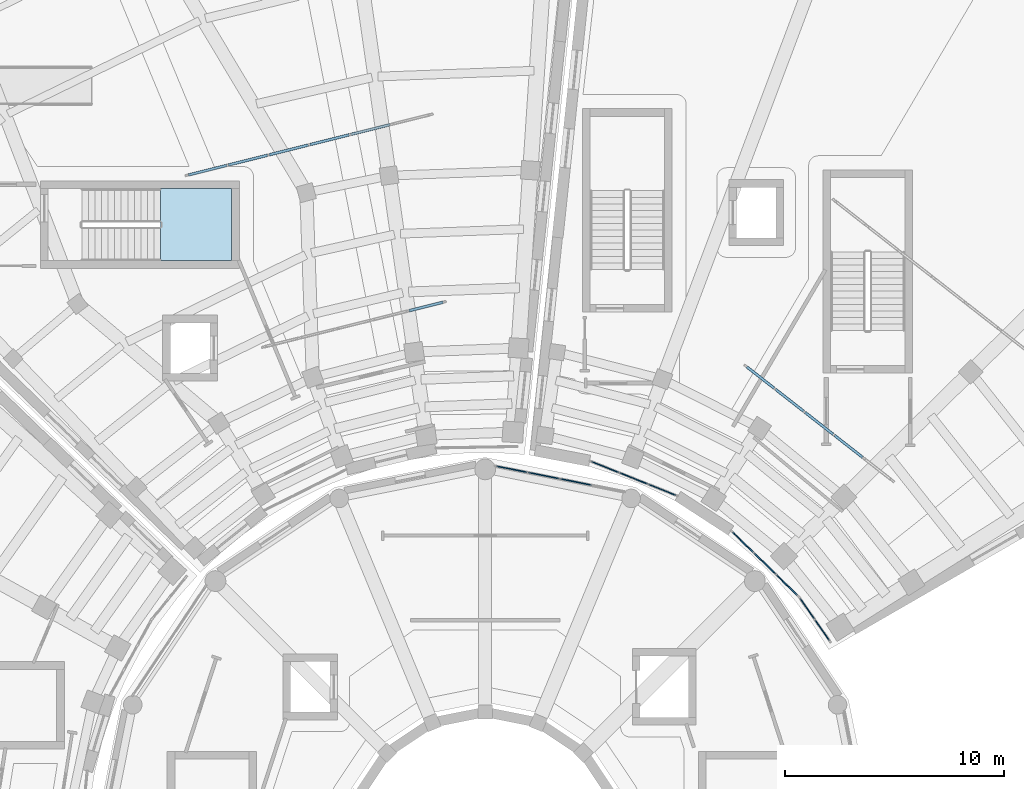
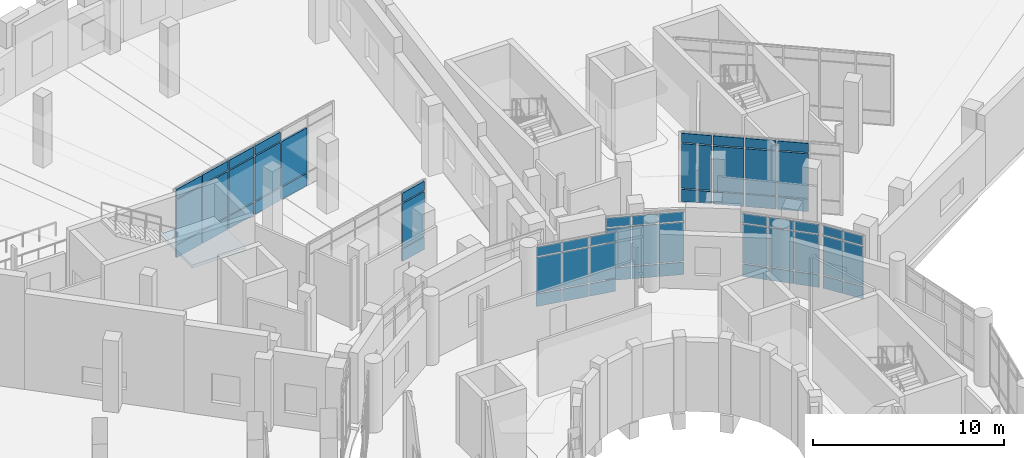
# One storey, part 41 of 75: 62 plates, 1 slab, 8 elements without a shape of their own.
"""IFC4 building model written with IfcOpenShell, lengths in metres."""

from ifc_helpers import new_model, si_unit, direction, frame, origin, origin_2d, place, context, subcontext, project, spatial, polyline, rectangle, outline, extrude, material, layer, layer_set, type_object, element, aggregate, save


model = new_model("IFC4")

# Units and contexts
model_context = context("Model", 3, precision=1e-05, world=origin(), true_north=direction((0.0, 1.0)))
body_context = subcontext(model_context, "Body", "Model", "MODEL_VIEW")
ifc_project = project(units=[si_unit("LENGTHUNIT", "METRE"), si_unit("AREAUNIT", "SQUARE_METRE"), si_unit("VOLUMEUNIT", "CUBIC_METRE"), si_unit("PLANEANGLEUNIT", "RADIAN"), si_unit("MASSUNIT", "GRAM", prefix="KILO")], contexts=[model_context])

# Site, building, storey
site_placement = place(None, origin())
site = spatial("IfcSite", under=ifc_project, at=site_placement, CompositionType="ELEMENT")
building_placement = place(site_placement, origin())
building = spatial("IfcBuilding", under=site, at=building_placement, Name="Soyqirgoq Riverine Aquarium", CompositionType="ELEMENT")
storey_placement = place(building_placement, frame((0.0, 0.0, 10.199951171875)))
storey = spatial("IfcBuildingStorey", under=building, at=storey_placement, Name="L03", CompositionType="ELEMENT", Elevation=10.199951171875)

# Curtain wall, plates
ifc_material_1 = material(Name="Cast polymethyl methacrylate PMMA Habitat Viewing Glazing", Category="glass")
curtain_wall_type_1 = type_object("IfcCurtainWallType", Name="CW_Interior_TankVitrine", PredefinedType="NOTDEFINED", material=ifc_material_1)
curtain_wall_1_placement = place(storey_placement, origin())
curtain_wall_1 = element("IfcCurtainWall", 1, at=curtain_wall_1_placement, inside=storey, type_object=curtain_wall_type_1, Name="V4 L03 Curtain Wall 155", PredefinedType="NOTDEFINED")
ifc_material_2 = material(Name="Cast polymethyl methacrylate PMMA", Category="glass")
ifc_layer_1 = layer(ifc_material_2, 0.1201171875)
ifc_layer_set_1 = layer_set([ifc_layer_1], Name="Cast polymethyl methacrylate PMMA")
plate_type_1 = type_object("IfcPlateType", Name="CWAcrylicPanel_120", PredefinedType="CURTAIN_PANEL", material=ifc_layer_set_1)
plate_1_placement = place(storey_placement, frame((53.2958984375, 81.902587890625, 0.074951171875), z_axis=(0.0, 0.0, 1.0), x_axis=(-0.970295694292, -0.241922023881, 0.0)))
plate_1 = element("IfcPlate", 2, at=plate_1_placement, type_object=plate_type_1, Name="CW-07 panel 1.1", PredefinedType="CURTAIN_PANEL", context=body_context, shape_type="SweptSolid", body=[
    extrude(rectangle(XDim=1.59033203125, YDim=0.1201171875, at=origin_2d()), origin(), (0.0, 0.0, 1.0), 0.78759765625),
])
plate_2_placement = place(storey_placement, frame((53.2958984375, 81.902587890625, 0.9375), z_axis=(0.0, 0.0, 1.0), x_axis=(-0.970295694292, -0.241922023881, 0.0)))
plate_2 = element("IfcPlate", 3, at=plate_2_placement, type_object=plate_type_1, Name="CW-07 panel 1.2", PredefinedType="CURTAIN_PANEL", context=body_context, shape_type="SweptSolid", body=[
    extrude(rectangle(XDim=1.59033203125, YDim=0.1201171875, at=origin_2d()), origin(), (0.0, 0.0, 1.0), 2.844970703125),
])
plate_3_placement = place(storey_placement, frame((53.2958984375, 81.902587890625, 3.857666015625), z_axis=(0.0, 0.0, 1.0), x_axis=(-0.970295694292, -0.241922023881, 0.0)))
plate_3 = element("IfcPlate", 4, at=plate_3_placement, type_object=plate_type_1, Name="CW-07 panel 1.3", PredefinedType="CURTAIN_PANEL", context=body_context, shape_type="SweptSolid", body=[
    extrude(rectangle(XDim=1.59033203125, YDim=0.1201171875, at=origin_2d()), origin(), (0.0, 0.0, 1.0), 0.58740234375),
])
aggregate(curtain_wall_1, [plate_1, plate_2, plate_3])

curtain_wall_2_placement = place(storey_placement, origin())
curtain_wall_2 = element("IfcCurtainWall", 5, at=curtain_wall_2_placement, inside=storey, type_object=curtain_wall_type_1, Name="V4 L03 Curtain Wall 156", PredefinedType="NOTDEFINED")
plate_4_placement = place(storey_placement, frame((50.746337890625, 89.99560546875, 0.074951171875), z_axis=(0.0, 0.0, 1.0), x_axis=(-0.970294737313, -0.241925862079, 0.0)))
plate_4 = element("IfcPlate", 6, at=plate_4_placement, type_object=plate_type_1, Name="CW-07 panel 2.1", PredefinedType="CURTAIN_PANEL", context=body_context, shape_type="SweptSolid", body=[
    extrude(rectangle(XDim=1.843017578125, YDim=0.1201171875, at=origin_2d()), origin(), (0.0, 0.0, 1.0), 0.78759765625),
])
plate_5_placement = place(storey_placement, frame((50.746337890625, 89.99560546875, 0.9375), z_axis=(0.0, 0.0, 1.0), x_axis=(-0.970294737313, -0.241925862079, 0.0)))
plate_5 = element("IfcPlate", 7, at=plate_5_placement, type_object=plate_type_1, Name="CW-07 panel 2.2", PredefinedType="CURTAIN_PANEL", context=body_context, shape_type="SweptSolid", body=[
    extrude(rectangle(XDim=1.843017578125, YDim=0.1201171875, at=origin_2d()), origin(), (0.0, 0.0, 1.0), 2.844970703125),
])
plate_6_placement = place(storey_placement, frame((48.880126953125, 89.5302734375, 0.074951171875), z_axis=(0.0, 0.0, 1.0), x_axis=(-0.970294737313, -0.241925862079, 0.0)))
plate_6 = element("IfcPlate", 8, at=plate_6_placement, type_object=plate_type_1, Name="CW-07 panel 3.1", PredefinedType="CURTAIN_PANEL", context=body_context, shape_type="SweptSolid", body=[
    extrude(rectangle(XDim=1.843017578125, YDim=0.1201171875, at=origin_2d()), origin(), (0.0, 0.0, 1.0), 0.78759765625),
])
plate_7_placement = place(storey_placement, frame((48.880126953125, 89.5302734375, 0.9375), z_axis=(0.0, 0.0, 1.0), x_axis=(-0.970294737313, -0.241925862079, 0.0)))
plate_7 = element("IfcPlate", 9, at=plate_7_placement, type_object=plate_type_1, Name="CW-07 panel 3.2", PredefinedType="CURTAIN_PANEL", context=body_context, shape_type="SweptSolid", body=[
    extrude(rectangle(XDim=1.843017578125, YDim=0.1201171875, at=origin_2d()), origin(), (0.0, 0.0, 1.0), 2.844970703125),
])
plate_8_placement = place(storey_placement, frame((48.880126953125, 89.5302734375, 3.857666015625), z_axis=(0.0, 0.0, 1.0), x_axis=(-0.970294737313, -0.241925862079, 0.0)))
plate_8 = element("IfcPlate", 10, at=plate_8_placement, type_object=plate_type_1, Name="CW-07 panel 3.3", PredefinedType="CURTAIN_PANEL", context=body_context, shape_type="SweptSolid", body=[
    extrude(rectangle(XDim=1.843017578125, YDim=0.1201171875, at=origin_2d()), origin(), (0.0, 0.0, 1.0), 0.58740234375),
])
plate_9_placement = place(storey_placement, frame((47.01416015625, 89.065185546875, 0.074951171875), z_axis=(0.0, 0.0, 1.0), x_axis=(-0.970294737313, -0.241925862079, 0.0)))
plate_9 = element("IfcPlate", 11, at=plate_9_placement, type_object=plate_type_1, Name="CW-07 panel 4.1", PredefinedType="CURTAIN_PANEL", context=body_context, shape_type="SweptSolid", body=[
    extrude(rectangle(XDim=1.843017578125, YDim=0.1201171875, at=origin_2d()), origin(), (0.0, 0.0, 1.0), 0.78759765625),
])
plate_10_placement = place(storey_placement, frame((47.01416015625, 89.065185546875, 0.9375), z_axis=(0.0, 0.0, 1.0), x_axis=(-0.970294737313, -0.241925862079, 0.0)))
plate_10 = element("IfcPlate", 12, at=plate_10_placement, type_object=plate_type_1, Name="CW-07 panel 4.2", PredefinedType="CURTAIN_PANEL", context=body_context, shape_type="SweptSolid", body=[
    extrude(rectangle(XDim=1.843017578125, YDim=0.1201171875, at=origin_2d()), origin(), (0.0, 0.0, 1.0), 2.844970703125),
])
plate_11_placement = place(storey_placement, frame((47.01416015625, 89.065185546875, 3.857666015625), z_axis=(0.0, 0.0, 1.0), x_axis=(-0.970294737313, -0.241925862079, 0.0)))
plate_11 = element("IfcPlate", 13, at=plate_11_placement, type_object=plate_type_1, Name="CW-07 panel 4.3", PredefinedType="CURTAIN_PANEL", context=body_context, shape_type="SweptSolid", body=[
    extrude(rectangle(XDim=1.843017578125, YDim=0.1201171875, at=origin_2d()), origin(), (0.0, 0.0, 1.0), 0.58740234375),
])
plate_12_placement = place(storey_placement, frame((45.148193359375, 88.599853515625, 0.074951171875), z_axis=(0.0, 0.0, 1.0), x_axis=(-0.970294737313, -0.241925862079, 0.0)))
plate_12 = element("IfcPlate", 14, at=plate_12_placement, type_object=plate_type_1, Name="CW-07 panel 5.1", PredefinedType="CURTAIN_PANEL", context=body_context, shape_type="SweptSolid", body=[
    extrude(rectangle(XDim=1.843017578125, YDim=0.1201171875, at=origin_2d()), origin(), (0.0, 0.0, 1.0), 0.78759765625),
])
plate_13_placement = place(storey_placement, frame((45.148193359375, 88.599853515625, 0.9375), z_axis=(0.0, 0.0, 1.0), x_axis=(-0.970294737313, -0.241925862079, 0.0)))
plate_13 = element("IfcPlate", 15, at=plate_13_placement, type_object=plate_type_1, Name="CW-07 panel 5.2", PredefinedType="CURTAIN_PANEL", context=body_context, shape_type="SweptSolid", body=[
    extrude(rectangle(XDim=1.843017578125, YDim=0.1201171875, at=origin_2d()), origin(), (0.0, 0.0, 1.0), 2.844970703125),
])
plate_14_placement = place(storey_placement, frame((45.148193359375, 88.599853515625, 3.857666015625), z_axis=(0.0, 0.0, 1.0), x_axis=(-0.970294737313, -0.241925862079, 0.0)))
plate_14 = element("IfcPlate", 16, at=plate_14_placement, type_object=plate_type_1, Name="CW-07 panel 5.3", PredefinedType="CURTAIN_PANEL", context=body_context, shape_type="SweptSolid", body=[
    extrude(rectangle(XDim=1.843017578125, YDim=0.1201171875, at=origin_2d()), origin(), (0.0, 0.0, 1.0), 0.58740234375),
])
plate_15_placement = place(storey_placement, frame((43.3017578125, 88.139404296875, 0.074951171875), z_axis=(0.0, 0.0, 1.0), x_axis=(-0.970294737313, -0.241925862079, 0.0)))
plate_15 = element("IfcPlate", 17, at=plate_15_placement, type_object=plate_type_1, Name="CW-07 panel 6.1", PredefinedType="CURTAIN_PANEL", context=body_context, shape_type="SweptSolid", body=[
    extrude(rectangle(XDim=1.80322265625, YDim=0.1201171875, at=origin_2d()), origin(), (0.0, 0.0, 1.0), 0.78759765625),
])
plate_16_placement = place(storey_placement, frame((43.3017578125, 88.139404296875, 0.9375), z_axis=(0.0, 0.0, 1.0), x_axis=(-0.970294737313, -0.241925862079, 0.0)))
plate_16 = element("IfcPlate", 18, at=plate_16_placement, type_object=plate_type_1, Name="CW-07 panel 6.2", PredefinedType="CURTAIN_PANEL", context=body_context, shape_type="SweptSolid", body=[
    extrude(rectangle(XDim=1.80322265625, YDim=0.1201171875, at=origin_2d()), origin(), (0.0, 0.0, 1.0), 2.844970703125),
])
plate_17_placement = place(storey_placement, frame((43.3017578125, 88.139404296875, 3.857666015625), z_axis=(0.0, 0.0, 1.0), x_axis=(-0.970294737313, -0.241925862079, 0.0)))
plate_17 = element("IfcPlate", 19, at=plate_17_placement, type_object=plate_type_1, Name="CW-07 panel 6.3", PredefinedType="CURTAIN_PANEL", context=body_context, shape_type="SweptSolid", body=[
    extrude(rectangle(XDim=1.80322265625, YDim=0.1201171875, at=origin_2d()), origin(), (0.0, 0.0, 1.0), 0.58740234375),
])
aggregate(curtain_wall_2, [plate_4, plate_5, plate_6, plate_7, plate_8, plate_9, plate_10, plate_11, plate_12, plate_13, plate_14, plate_15, plate_16, plate_17])

curtain_wall_3_placement = place(storey_placement, origin())
curtain_wall_3 = element("IfcCurtainWall", 20, at=curtain_wall_3_placement, inside=storey, type_object=curtain_wall_type_1, Name="V5 L03 Curtain Wall 161", PredefinedType="NOTDEFINED")
plate_18_placement = place(storey_placement, frame((72.626708984375, 75.503173828125, 0.074951171875), z_axis=(0.0, 0.0, 1.0), x_axis=(-0.788011077449, 0.615661060826, 0.0)))
plate_18 = element("IfcPlate", 21, at=plate_18_placement, type_object=plate_type_1, Name="CW-07 panel 2.1", PredefinedType="CURTAIN_PANEL", context=body_context, shape_type="SweptSolid", body=[
    extrude(rectangle(XDim=1.63037109375, YDim=0.1201171875, at=origin_2d()), origin(), (0.0, 0.0, 1.0), 0.78759765625),
])
plate_19_placement = place(storey_placement, frame((72.626708984375, 75.503173828125, 0.9375), z_axis=(0.0, 0.0, 1.0), x_axis=(-0.788011077449, 0.615661060826, 0.0)))
plate_19 = element("IfcPlate", 22, at=plate_19_placement, type_object=plate_type_1, Name="CW-07 panel 2.2", PredefinedType="CURTAIN_PANEL", context=body_context, shape_type="SweptSolid", body=[
    extrude(rectangle(XDim=1.63037109375, YDim=0.1201171875, at=origin_2d()), origin(), (0.0, 0.0, 1.0), 2.844970703125),
])
plate_20_placement = place(storey_placement, frame((72.626708984375, 75.503173828125, 3.857666015625), z_axis=(0.0, 0.0, 1.0), x_axis=(-0.788011077449, 0.615661060826, 0.0)))
plate_20 = element("IfcPlate", 23, at=plate_20_placement, type_object=plate_type_1, Name="CW-07 panel 2.3", PredefinedType="CURTAIN_PANEL", context=body_context, shape_type="SweptSolid", body=[
    extrude(rectangle(XDim=1.63037109375, YDim=0.1201171875, at=origin_2d()), origin(), (0.0, 0.0, 1.0), 0.58740234375),
])
plate_21_placement = place(storey_placement, frame((71.279052734375, 76.55615234375, 0.074951171875), z_axis=(0.0, 0.0, 1.0), x_axis=(-0.788011077449, 0.615661060826, 0.0)))
plate_21 = element("IfcPlate", 24, at=plate_21_placement, type_object=plate_type_1, Name="CW-07 panel 3.1", PredefinedType="CURTAIN_PANEL", context=body_context, shape_type="SweptSolid", body=[
    extrude(rectangle(XDim=1.63037109375, YDim=0.1201171875, at=origin_2d()), origin(), (0.0, 0.0, 1.0), 0.78759765625),
])
plate_22_placement = place(storey_placement, frame((71.279052734375, 76.55615234375, 0.9375), z_axis=(0.0, 0.0, 1.0), x_axis=(-0.788011077449, 0.615661060826, 0.0)))
plate_22 = element("IfcPlate", 25, at=plate_22_placement, type_object=plate_type_1, Name="CW-07 panel 3.2", PredefinedType="CURTAIN_PANEL", context=body_context, shape_type="SweptSolid", body=[
    extrude(rectangle(XDim=1.63037109375, YDim=0.1201171875, at=origin_2d()), origin(), (0.0, 0.0, 1.0), 2.844970703125),
])
plate_23_placement = place(storey_placement, frame((71.279052734375, 76.55615234375, 3.857666015625), z_axis=(0.0, 0.0, 1.0), x_axis=(-0.788011077449, 0.615661060826, 0.0)))
plate_23 = element("IfcPlate", 26, at=plate_23_placement, type_object=plate_type_1, Name="CW-07 panel 3.3", PredefinedType="CURTAIN_PANEL", context=body_context, shape_type="SweptSolid", body=[
    extrude(rectangle(XDim=1.63037109375, YDim=0.1201171875, at=origin_2d()), origin(), (0.0, 0.0, 1.0), 0.58740234375),
])
plate_24_placement = place(storey_placement, frame((69.93115234375, 77.609130859375, 0.074951171875), z_axis=(0.0, 0.0, 1.0), x_axis=(-0.788011077449, 0.615661060826, 0.0)))
plate_24 = element("IfcPlate", 27, at=plate_24_placement, type_object=plate_type_1, Name="CW-07 panel 4.1", PredefinedType="CURTAIN_PANEL", context=body_context, shape_type="SweptSolid", body=[
    extrude(rectangle(XDim=1.63037109375, YDim=0.1201171875, at=origin_2d()), origin(), (0.0, 0.0, 1.0), 0.78759765625),
])
plate_25_placement = place(storey_placement, frame((69.93115234375, 77.609130859375, 0.9375), z_axis=(0.0, 0.0, 1.0), x_axis=(-0.788011077449, 0.615661060826, 0.0)))
plate_25 = element("IfcPlate", 28, at=plate_25_placement, type_object=plate_type_1, Name="CW-07 panel 4.2", PredefinedType="CURTAIN_PANEL", context=body_context, shape_type="SweptSolid", body=[
    extrude(rectangle(XDim=1.63037109375, YDim=0.1201171875, at=origin_2d()), origin(), (0.0, 0.0, 1.0), 2.844970703125),
])
plate_26_placement = place(storey_placement, frame((69.93115234375, 77.609130859375, 3.857666015625), z_axis=(0.0, 0.0, 1.0), x_axis=(-0.788011077449, 0.615661060826, 0.0)))
plate_26 = element("IfcPlate", 29, at=plate_26_placement, type_object=plate_type_1, Name="CW-07 panel 4.3", PredefinedType="CURTAIN_PANEL", context=body_context, shape_type="SweptSolid", body=[
    extrude(rectangle(XDim=1.63037109375, YDim=0.1201171875, at=origin_2d()), origin(), (0.0, 0.0, 1.0), 0.58740234375),
])
plate_27_placement = place(storey_placement, frame((68.59912109375, 78.64990234375, 0.074951171875), z_axis=(0.0, 0.0, 1.0), x_axis=(-0.788011077449, 0.615661060826, 0.0)))
plate_27 = element("IfcPlate", 30, at=plate_27_placement, type_object=plate_type_1, Name="CW-07 panel 5.1", PredefinedType="CURTAIN_PANEL", context=body_context, shape_type="SweptSolid", body=[
    extrude(rectangle(XDim=1.59033203125, YDim=0.1201171875, at=origin_2d()), origin(), (0.0, 0.0, 1.0), 0.78759765625),
])
plate_28_placement = place(storey_placement, frame((68.59912109375, 78.64990234375, 0.9375), z_axis=(0.0, 0.0, 1.0), x_axis=(-0.788011077449, 0.615661060826, 0.0)))
plate_28 = element("IfcPlate", 31, at=plate_28_placement, type_object=plate_type_1, Name="CW-07 panel 5.2", PredefinedType="CURTAIN_PANEL", context=body_context, shape_type="SweptSolid", body=[
    extrude(rectangle(XDim=1.59033203125, YDim=0.1201171875, at=origin_2d()), origin(), (0.0, 0.0, 1.0), 2.844970703125),
])
plate_29_placement = place(storey_placement, frame((68.59912109375, 78.64990234375, 3.857666015625), z_axis=(0.0, 0.0, 1.0), x_axis=(-0.788011077449, 0.615661060826, 0.0)))
plate_29 = element("IfcPlate", 32, at=plate_29_placement, type_object=plate_type_1, Name="CW-07 panel 5.3", PredefinedType="CURTAIN_PANEL", context=body_context, shape_type="SweptSolid", body=[
    extrude(rectangle(XDim=1.59033203125, YDim=0.1201171875, at=origin_2d()), origin(), (0.0, 0.0, 1.0), 0.58740234375),
])
aggregate(curtain_wall_3, [plate_18, plate_19, plate_20, plate_21, plate_22, plate_23, plate_24, plate_25, plate_26, plate_27, plate_28, plate_29])

ifc_material_3 = material(Name="Anodised aluminium thermally broken triple low-E glazing", Category="aluminium")
curtain_wall_type_2 = type_object("IfcCurtainWallType", Name="CW_DrumGallery_Unitised", PredefinedType="NOTDEFINED", material=ifc_material_3)
curtain_wall_4_placement = place(storey_placement, origin())
curtain_wall_4 = element("IfcCurtainWall", 33, at=curtain_wall_4_placement, inside=storey, type_object=curtain_wall_type_2, Name="V1 L03 Curtain Wall 014", PredefinedType="NOTDEFINED")
ifc_material_4 = material(Name="Triple insulated laminated low-E glass", Category="glass")
ifc_layer_2 = layer(ifc_material_4, 0.0458984375)
ifc_layer_set_2 = layer_set([ifc_layer_2], Name="Triple insulated laminated low-E glass")
plate_type_2 = type_object("IfcPlateType", Name="CWGlazedPanel_46", PredefinedType="CURTAIN_PANEL", material=ifc_layer_set_2)
plate_30_placement = place(storey_placement, frame((60.15185546875, 73.8740234375, 0.074951171875), z_axis=(0.0, 0.0, 1.0), x_axis=(-0.980784364221, 0.195094927919, 0.0)))
plate_30 = element("IfcPlate", 34, at=plate_30_placement, type_object=plate_type_2, Name="CW-01 panel 2.1", PredefinedType="CURTAIN_PANEL", context=body_context, shape_type="SweptSolid", body=[
    extrude(rectangle(XDim=1.43701171875, YDim=0.0458984375, at=origin_2d()), origin(), (0.0, 0.0, 1.0), 0.78759765625),
])
plate_31_placement = place(storey_placement, frame((60.15185546875, 73.8740234375, 0.9375), z_axis=(0.0, 0.0, 1.0), x_axis=(-0.980784364221, 0.195094927919, 0.0)))
plate_31 = element("IfcPlate", 35, at=plate_31_placement, type_object=plate_type_2, Name="CW-01 panel 2.2", PredefinedType="CURTAIN_PANEL", context=body_context, shape_type="SweptSolid", body=[
    extrude(rectangle(XDim=1.43701171875, YDim=0.0458984375, at=origin_2d()), origin(), (0.0, 0.0, 1.0), 2.27490234375),
])
plate_32_placement = place(storey_placement, frame((60.15185546875, 73.8740234375, 3.28759765625), z_axis=(0.0, 0.0, 1.0), x_axis=(-0.980784364221, 0.195094927919, 0.0)))
plate_32 = element("IfcPlate", 36, at=plate_32_placement, type_object=plate_type_2, Name="CW-01 panel 2.3", PredefinedType="CURTAIN_PANEL", context=body_context, shape_type="SweptSolid", body=[
    extrude(rectangle(XDim=1.43701171875, YDim=0.0458984375, at=origin_2d()), origin(), (0.0, 0.0, 1.0), 0.58740234375),
])
plate_33_placement = place(storey_placement, frame((58.6787109375, 74.167236328125, 0.074951171875), z_axis=(0.0, 0.0, 1.0), x_axis=(-0.980784364221, 0.195094927919, 0.0)))
plate_33 = element("IfcPlate", 37, at=plate_33_placement, type_object=plate_type_2, Name="CW-01 panel 3.1", PredefinedType="CURTAIN_PANEL", context=body_context, shape_type="SweptSolid", body=[
    extrude(rectangle(XDim=1.43701171875, YDim=0.0458984375, at=origin_2d()), origin(), (0.0, 0.0, 1.0), 0.78759765625),
])
plate_34_placement = place(storey_placement, frame((58.6787109375, 74.167236328125, 0.9375), z_axis=(0.0, 0.0, 1.0), x_axis=(-0.980784364221, 0.195094927919, 0.0)))
plate_34 = element("IfcPlate", 38, at=plate_34_placement, type_object=plate_type_2, Name="CW-01 panel 3.2", PredefinedType="CURTAIN_PANEL", context=body_context, shape_type="SweptSolid", body=[
    extrude(rectangle(XDim=1.43701171875, YDim=0.0458984375, at=origin_2d()), origin(), (0.0, 0.0, 1.0), 2.27490234375),
])
plate_35_placement = place(storey_placement, frame((58.6787109375, 74.167236328125, 3.28759765625), z_axis=(0.0, 0.0, 1.0), x_axis=(-0.980784364221, 0.195094927919, 0.0)))
plate_35 = element("IfcPlate", 39, at=plate_35_placement, type_object=plate_type_2, Name="CW-01 panel 3.3", PredefinedType="CURTAIN_PANEL", context=body_context, shape_type="SweptSolid", body=[
    extrude(rectangle(XDim=1.43701171875, YDim=0.0458984375, at=origin_2d()), origin(), (0.0, 0.0, 1.0), 0.58740234375),
])
plate_36_placement = place(storey_placement, frame((57.2216796875, 74.45703125, 0.074951171875), z_axis=(0.0, 0.0, 1.0), x_axis=(-0.980784364221, 0.195094927919, 0.0)))
plate_36 = element("IfcPlate", 40, at=plate_36_placement, type_object=plate_type_2, Name="CW-01 panel 4.1", PredefinedType="CURTAIN_PANEL", context=body_context, shape_type="SweptSolid", body=[
    extrude(rectangle(XDim=1.404541015625, YDim=0.0458984375, at=origin_2d()), origin(), (0.0, 0.0, 1.0), 0.78759765625),
])
plate_37_placement = place(storey_placement, frame((57.2216796875, 74.45703125, 0.9375), z_axis=(0.0, 0.0, 1.0), x_axis=(-0.980784364221, 0.195094927919, 0.0)))
plate_37 = element("IfcPlate", 41, at=plate_37_placement, type_object=plate_type_2, Name="CW-01 panel 4.2", PredefinedType="CURTAIN_PANEL", context=body_context, shape_type="SweptSolid", body=[
    extrude(rectangle(XDim=1.404541015625, YDim=0.0458984375, at=origin_2d()), origin(), (0.0, 0.0, 1.0), 2.27490234375),
])
plate_38_placement = place(storey_placement, frame((57.2216796875, 74.45703125, 3.28759765625), z_axis=(0.0, 0.0, 1.0), x_axis=(-0.980784364221, 0.195094927919, 0.0)))
plate_38 = element("IfcPlate", 42, at=plate_38_placement, type_object=plate_type_2, Name="CW-01 panel 4.3", PredefinedType="CURTAIN_PANEL", context=body_context, shape_type="SweptSolid", body=[
    extrude(rectangle(XDim=1.404541015625, YDim=0.0458984375, at=origin_2d()), origin(), (0.0, 0.0, 1.0), 0.58740234375),
])
aggregate(curtain_wall_4, [plate_30, plate_31, plate_32, plate_33, plate_34, plate_35, plate_36, plate_37, plate_38])

ifc_material_5 = material(Name="Anodised aluminium thermally broken double low-E glazing", Category="aluminium")
curtain_wall_type_3 = type_object("IfcCurtainWallType", Name="CW_Wedge_NorthBay", PredefinedType="NOTDEFINED", material=ifc_material_5)
curtain_wall_5_placement = place(storey_placement, origin())
curtain_wall_5 = element("IfcCurtainWall", 43, at=curtain_wall_5_placement, inside=storey, type_object=curtain_wall_type_3, Name="V5 L03 Curtain Wall 097", PredefinedType="NOTDEFINED")
plate_39_placement = place(storey_placement, frame((64.10107421875, 73.515869140625, 0.074951171875), z_axis=(0.0, 0.0, 1.0), x_axis=(-0.928804825752, 0.37056928591, 0.0)))
plate_39 = element("IfcPlate", 44, at=plate_39_placement, type_object=plate_type_2, Name="CW-03 panel 1.1", PredefinedType="CURTAIN_PANEL", context=body_context, shape_type="SweptSolid", body=[
    extrude(rectangle(XDim=1.322998046875, YDim=0.0458984375, at=origin_2d()), origin(), (0.0, 0.0, 1.0), 0.78759765625),
])
plate_40_placement = place(storey_placement, frame((64.10107421875, 73.515869140625, 0.9375), z_axis=(0.0, 0.0, 1.0), x_axis=(-0.928804825752, 0.37056928591, 0.0)))
plate_40 = element("IfcPlate", 45, at=plate_40_placement, type_object=plate_type_2, Name="CW-03 panel 1.2", PredefinedType="CURTAIN_PANEL", context=body_context, shape_type="SweptSolid", body=[
    extrude(rectangle(XDim=1.322998046875, YDim=0.0458984375, at=origin_2d()), origin(), (0.0, 0.0, 1.0), 2.4951171875),
])
plate_41_placement = place(storey_placement, frame((64.10107421875, 73.515869140625, 3.507568359375), z_axis=(0.0, 0.0, 1.0), x_axis=(-0.928804825752, 0.37056928591, 0.0)))
plate_41 = element("IfcPlate", 46, at=plate_41_placement, type_object=plate_type_2, Name="CW-03 panel 1.3", PredefinedType="CURTAIN_PANEL", context=body_context, shape_type="SweptSolid", body=[
    extrude(rectangle(XDim=1.322998046875, YDim=0.0458984375, at=origin_2d()), origin(), (0.0, 0.0, 1.0), 0.58740234375),
])
plate_42_placement = place(storey_placement, frame((62.796875, 74.036376953125, 0.074951171875), z_axis=(0.0, 0.0, 1.0), x_axis=(-0.928804825752, 0.37056928591, 0.0)))
plate_42 = element("IfcPlate", 47, at=plate_42_placement, type_object=plate_type_2, Name="CW-03 panel 2.1", PredefinedType="CURTAIN_PANEL", context=body_context, shape_type="SweptSolid", body=[
    extrude(rectangle(XDim=1.355712890625, YDim=0.0458984375, at=origin_2d()), origin(), (0.0, 0.0, 1.0), 0.78759765625),
])
plate_43_placement = place(storey_placement, frame((62.796875, 74.036376953125, 0.9375), z_axis=(0.0, 0.0, 1.0), x_axis=(-0.928804825752, 0.37056928591, 0.0)))
plate_43 = element("IfcPlate", 48, at=plate_43_placement, type_object=plate_type_2, Name="CW-03 panel 2.2", PredefinedType="CURTAIN_PANEL", context=body_context, shape_type="SweptSolid", body=[
    extrude(rectangle(XDim=1.355712890625, YDim=0.0458984375, at=origin_2d()), origin(), (0.0, 0.0, 1.0), 2.4951171875),
])
plate_44_placement = place(storey_placement, frame((62.796875, 74.036376953125, 3.507568359375), z_axis=(0.0, 0.0, 1.0), x_axis=(-0.928804825752, 0.37056928591, 0.0)))
plate_44 = element("IfcPlate", 49, at=plate_44_placement, type_object=plate_type_2, Name="CW-03 panel 2.3", PredefinedType="CURTAIN_PANEL", context=body_context, shape_type="SweptSolid", body=[
    extrude(rectangle(XDim=1.355712890625, YDim=0.0458984375, at=origin_2d()), origin(), (0.0, 0.0, 1.0), 0.58740234375),
])
plate_45_placement = place(storey_placement, frame((61.492431640625, 74.556640625, 0.074951171875), z_axis=(0.0, 0.0, 1.0), x_axis=(-0.928804825752, 0.37056928591, 0.0)))
plate_45 = element("IfcPlate", 50, at=plate_45_placement, type_object=plate_type_2, Name="CW-03 panel 3.1", PredefinedType="CURTAIN_PANEL", context=body_context, shape_type="SweptSolid", body=[
    extrude(rectangle(XDim=1.322998046875, YDim=0.0458984375, at=origin_2d()), origin(), (0.0, 0.0, 1.0), 0.78759765625),
])
plate_46_placement = place(storey_placement, frame((61.492431640625, 74.556640625, 0.9375), z_axis=(0.0, 0.0, 1.0), x_axis=(-0.928804825752, 0.37056928591, 0.0)))
plate_46 = element("IfcPlate", 51, at=plate_46_placement, type_object=plate_type_2, Name="CW-03 panel 3.2", PredefinedType="CURTAIN_PANEL", context=body_context, shape_type="SweptSolid", body=[
    extrude(rectangle(XDim=1.322998046875, YDim=0.0458984375, at=origin_2d()), origin(), (0.0, 0.0, 1.0), 2.4951171875),
])
plate_47_placement = place(storey_placement, frame((61.492431640625, 74.556640625, 3.507568359375), z_axis=(0.0, 0.0, 1.0), x_axis=(-0.928804825752, 0.37056928591, 0.0)))
plate_47 = element("IfcPlate", 52, at=plate_47_placement, type_object=plate_type_2, Name="CW-03 panel 3.3", PredefinedType="CURTAIN_PANEL", context=body_context, shape_type="SweptSolid", body=[
    extrude(rectangle(XDim=1.322998046875, YDim=0.0458984375, at=origin_2d()), origin(), (0.0, 0.0, 1.0), 0.58740234375),
])
aggregate(curtain_wall_5, [plate_39, plate_40, plate_41, plate_42, plate_43, plate_44, plate_45, plate_46, plate_47])

curtain_wall_6_placement = place(storey_placement, origin())
curtain_wall_6 = element("IfcCurtainWall", 53, at=curtain_wall_6_placement, inside=storey, type_object=curtain_wall_type_3, Name="V5 L03 Curtain Wall 098", PredefinedType="NOTDEFINED")
plate_48_placement = place(storey_placement, frame((71.42041015625, 67.090576171875, 0.074951171875), z_axis=(0.0, 0.0, 1.0), x_axis=(-0.570991784421, 0.820955773549, 0.0)))
plate_48 = element("IfcPlate", 54, at=plate_48_placement, type_object=plate_type_2, Name="CW-03 panel 1.1", PredefinedType="CURTAIN_PANEL", context=body_context, shape_type="SweptSolid", body=[
    extrude(rectangle(XDim=1.131591796875, YDim=0.0458984375, at=origin_2d()), origin(), (0.0, 0.0, 1.0), 0.78759765625),
])
plate_49_placement = place(storey_placement, frame((71.42041015625, 67.090576171875, 0.9375), z_axis=(0.0, 0.0, 1.0), x_axis=(-0.570991784421, 0.820955773549, 0.0)))
plate_49 = element("IfcPlate", 55, at=plate_49_placement, type_object=plate_type_2, Name="CW-03 panel 1.2", PredefinedType="CURTAIN_PANEL", context=body_context, shape_type="SweptSolid", body=[
    extrude(rectangle(XDim=1.131591796875, YDim=0.0458984375, at=origin_2d()), origin(), (0.0, 0.0, 1.0), 2.4951171875),
])
plate_50_placement = place(storey_placement, frame((71.42041015625, 67.090576171875, 3.507568359375), z_axis=(0.0, 0.0, 1.0), x_axis=(-0.570991784421, 0.820955773549, 0.0)))
plate_50 = element("IfcPlate", 56, at=plate_50_placement, type_object=plate_type_2, Name="CW-03 panel 1.3", PredefinedType="CURTAIN_PANEL", context=body_context, shape_type="SweptSolid", body=[
    extrude(rectangle(XDim=1.131591796875, YDim=0.0458984375, at=origin_2d()), origin(), (0.0, 0.0, 1.0), 0.58740234375),
])
plate_51_placement = place(storey_placement, frame((70.737060546875, 68.072998046875, 0.074951171875), z_axis=(0.0, 0.0, 1.0), x_axis=(-0.570991784421, 0.820955773549, 0.0)))
plate_51 = element("IfcPlate", 57, at=plate_51_placement, type_object=plate_type_2, Name="CW-03 panel 2.1", PredefinedType="CURTAIN_PANEL", context=body_context, shape_type="SweptSolid", body=[
    extrude(rectangle(XDim=1.131591796875, YDim=0.0458984375, at=origin_2d()), origin(), (0.0, 0.0, 1.0), 0.78759765625),
])
plate_52_placement = place(storey_placement, frame((70.737060546875, 68.072998046875, 0.9375), z_axis=(0.0, 0.0, 1.0), x_axis=(-0.570991784421, 0.820955773549, 0.0)))
plate_52 = element("IfcPlate", 58, at=plate_52_placement, type_object=plate_type_2, Name="CW-03 panel 2.2", PredefinedType="CURTAIN_PANEL", context=body_context, shape_type="SweptSolid", body=[
    extrude(rectangle(XDim=1.131591796875, YDim=0.0458984375, at=origin_2d()), origin(), (0.0, 0.0, 1.0), 2.4951171875),
])
plate_53_placement = place(storey_placement, frame((70.737060546875, 68.072998046875, 3.507568359375), z_axis=(0.0, 0.0, 1.0), x_axis=(-0.570991784421, 0.820955773549, 0.0)))
plate_53 = element("IfcPlate", 59, at=plate_53_placement, type_object=plate_type_2, Name="CW-03 panel 2.3", PredefinedType="CURTAIN_PANEL", context=body_context, shape_type="SweptSolid", body=[
    extrude(rectangle(XDim=1.131591796875, YDim=0.0458984375, at=origin_2d()), origin(), (0.0, 0.0, 1.0), 0.58740234375),
])
aggregate(curtain_wall_6, [plate_48, plate_49, plate_50, plate_51, plate_52, plate_53])

curtain_wall_7_placement = place(storey_placement, origin())
curtain_wall_7 = element("IfcCurtainWall", 60, at=curtain_wall_7_placement, inside=storey, type_object=curtain_wall_type_3, Name="V5 L03 Curtain Wall 096", PredefinedType="NOTDEFINED")
ifc_material_6 = material(Name="Insulated shadow-box aluminium spandrel panel", Category="aluminium")
ifc_layer_3 = layer(ifc_material_6, 0.06005859375)
ifc_layer_set_3 = layer_set([ifc_layer_3], Name="Insulated shadow-box aluminium spandrel panel")
plate_type_3 = type_object("IfcPlateType", Name="CWSpandrelPanel_60", PredefinedType="CURTAIN_PANEL", material=ifc_layer_set_3)
plate_54_placement = place(storey_placement, frame((69.804931640625, 69.15869140625, 0.074951171875), z_axis=(0.0, 0.0, 1.0), x_axis=(-0.716302658304, 0.697789725997, 0.0)))
plate_54 = element("IfcPlate", 61, at=plate_54_placement, type_object=plate_type_3, Name="CW-03 panel 1.1", PredefinedType="CURTAIN_PANEL", context=body_context, shape_type="SweptSolid", body=[
    extrude(rectangle(XDim=1.3232421875, YDim=0.06005859375, at=origin_2d()), origin(), (0.0, 0.0, 1.0), 0.78759765625),
])
plate_55_placement = place(storey_placement, frame((69.804931640625, 69.15869140625, 0.9375), z_axis=(0.0, 0.0, 1.0), x_axis=(-0.716302658304, 0.697789725997, 0.0)))
plate_55 = element("IfcPlate", 62, at=plate_55_placement, type_object=plate_type_3, Name="CW-03 panel 1.2", PredefinedType="CURTAIN_PANEL", context=body_context, shape_type="SweptSolid", body=[
    extrude(rectangle(XDim=1.3232421875, YDim=0.06005859375, at=origin_2d()), origin(), (0.0, 0.0, 1.0), 2.4951171875),
])
plate_56_placement = place(storey_placement, frame((69.804931640625, 69.15869140625, 3.507568359375), z_axis=(0.0, 0.0, 1.0), x_axis=(-0.716302658304, 0.697789725997, 0.0)))
plate_56 = element("IfcPlate", 63, at=plate_56_placement, type_object=plate_type_3, Name="CW-03 panel 1.3", PredefinedType="CURTAIN_PANEL", context=body_context, shape_type="SweptSolid", body=[
    extrude(rectangle(XDim=1.3232421875, YDim=0.06005859375, at=origin_2d()), origin(), (0.0, 0.0, 1.0), 0.58740234375),
])
plate_57_placement = place(storey_placement, frame((68.799072265625, 70.138671875, 0.074951171875), z_axis=(0.0, 0.0, 1.0), x_axis=(-0.716302658304, 0.697789725997, 0.0)))
plate_57 = element("IfcPlate", 64, at=plate_57_placement, type_object=plate_type_3, Name="CW-03 panel 2.1", PredefinedType="CURTAIN_PANEL", context=body_context, shape_type="SweptSolid", body=[
    extrude(rectangle(XDim=1.355712890625, YDim=0.06005859375, at=origin_2d()), origin(), (0.0, 0.0, 1.0), 0.78759765625),
])
plate_58_placement = place(storey_placement, frame((68.799072265625, 70.138671875, 0.9375), z_axis=(0.0, 0.0, 1.0), x_axis=(-0.716302658304, 0.697789725997, 0.0)))
plate_58 = element("IfcPlate", 65, at=plate_58_placement, type_object=plate_type_3, Name="CW-03 panel 2.2", PredefinedType="CURTAIN_PANEL", context=body_context, shape_type="SweptSolid", body=[
    extrude(rectangle(XDim=1.355712890625, YDim=0.06005859375, at=origin_2d()), origin(), (0.0, 0.0, 1.0), 2.4951171875),
])
plate_59_placement = place(storey_placement, frame((68.799072265625, 70.138671875, 3.507568359375), z_axis=(0.0, 0.0, 1.0), x_axis=(-0.716302658304, 0.697789725997, 0.0)))
plate_59 = element("IfcPlate", 66, at=plate_59_placement, type_object=plate_type_3, Name="CW-03 panel 2.3", PredefinedType="CURTAIN_PANEL", context=body_context, shape_type="SweptSolid", body=[
    extrude(rectangle(XDim=1.355712890625, YDim=0.06005859375, at=origin_2d()), origin(), (0.0, 0.0, 1.0), 0.58740234375),
])
plate_60_placement = place(storey_placement, frame((67.79296875, 71.118408203125, 0.074951171875), z_axis=(0.0, 0.0, 1.0), x_axis=(-0.716302658304, 0.697789725997, 0.0)))
plate_60 = element("IfcPlate", 67, at=plate_60_placement, type_object=plate_type_3, Name="CW-03 panel 3.1", PredefinedType="CURTAIN_PANEL", context=body_context, shape_type="SweptSolid", body=[
    extrude(rectangle(XDim=1.3232421875, YDim=0.06005859375, at=origin_2d()), origin(), (0.0, 0.0, 1.0), 0.78759765625),
])
plate_61_placement = place(storey_placement, frame((67.79296875, 71.118408203125, 0.9375), z_axis=(0.0, 0.0, 1.0), x_axis=(-0.716302658304, 0.697789725997, 0.0)))
plate_61 = element("IfcPlate", 68, at=plate_61_placement, type_object=plate_type_3, Name="CW-03 panel 3.2", PredefinedType="CURTAIN_PANEL", context=body_context, shape_type="SweptSolid", body=[
    extrude(rectangle(XDim=1.3232421875, YDim=0.06005859375, at=origin_2d()), origin(), (0.0, 0.0, 1.0), 2.4951171875),
])
plate_62_placement = place(storey_placement, frame((67.79296875, 71.118408203125, 3.507568359375), z_axis=(0.0, 0.0, 1.0), x_axis=(-0.716302658304, 0.697789725997, 0.0)))
plate_62 = element("IfcPlate", 69, at=plate_62_placement, type_object=plate_type_3, Name="CW-03 panel 3.3", PredefinedType="CURTAIN_PANEL", context=body_context, shape_type="SweptSolid", body=[
    extrude(rectangle(XDim=1.3232421875, YDim=0.06005859375, at=origin_2d()), origin(), (0.0, 0.0, 1.0), 0.58740234375),
])
aggregate(curtain_wall_7, [plate_54, plate_55, plate_56, plate_57, plate_58, plate_59, plate_60, plate_61, plate_62])

# Stair, slab
ifc_material_7 = material(Name="Concrete C35/45", Category="concrete")
stair_type = type_object("IfcStairType", Name="CoreDoglegStair_RC", PredefinedType="HALF_TURN_STAIR", material=ifc_material_7)
stair_placement = place(storey_placement, origin())
stair = element("IfcStair", 70, at=stair_placement, inside=storey, type_object=stair_type, Name="L03 Enclosed Exit Stair ST-4", PredefinedType="HALF_TURN_STAIR")
ifc_material_8 = material(Name="Concrete C35/45", Category="concrete")
ifc_layer_4 = layer(ifc_material_8, 0.199951171875)
ifc_layer_set_4 = layer_set([ifc_layer_4], Name="Concrete C35/45")
slab_type = type_object("IfcSlabType", Name="CoreStairLanding_RC", PredefinedType="LANDING", material=ifc_layer_set_4)
slab_placement = place(storey_placement, frame((0.0, 0.0, 2.199951171875)))
slab = element("IfcSlab", 71, at=slab_placement, type_object=slab_type, Name="ST-4 landing 1", PredefinedType="LANDING", context=body_context, shape_type="SweptSolid", body=[
    extrude(outline(polyline([(41.14990234375, 84.0), (44.39990234375, 84.0), (44.39990234375, 87.300048828125), (41.14990234375, 87.300048828125), (41.14990234375, 84.0)])), origin(), (0.0, 0.0, 1.0), 0.2001953125),
])
aggregate(stair, [slab])

save(model, "model.ifc")
